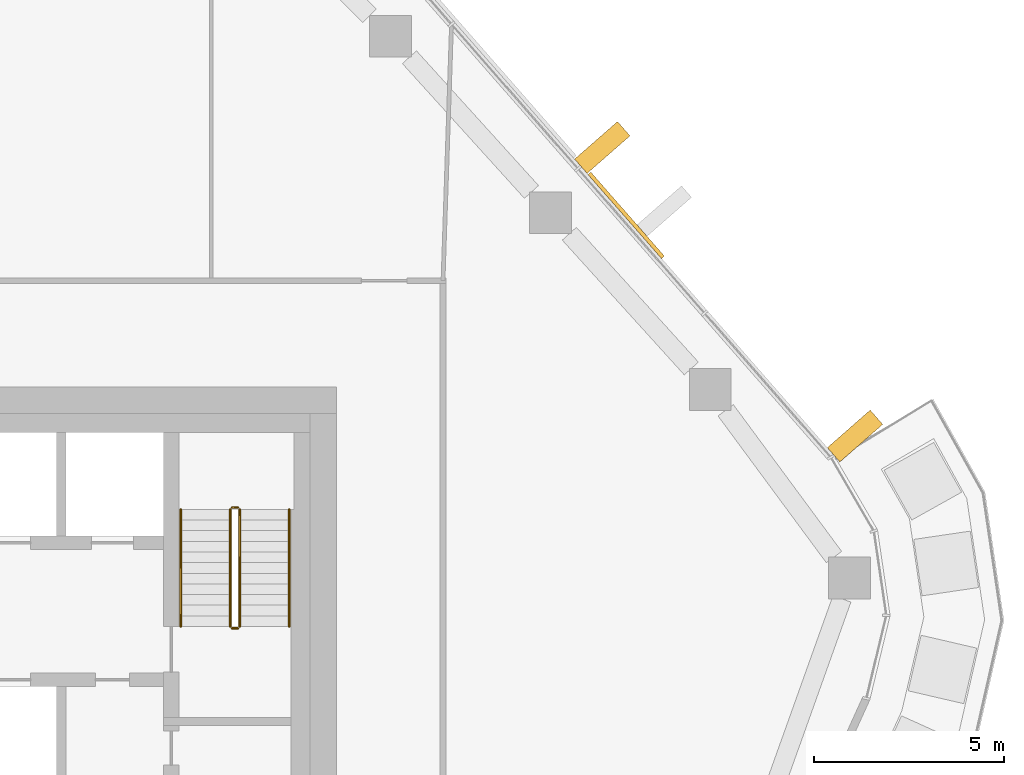
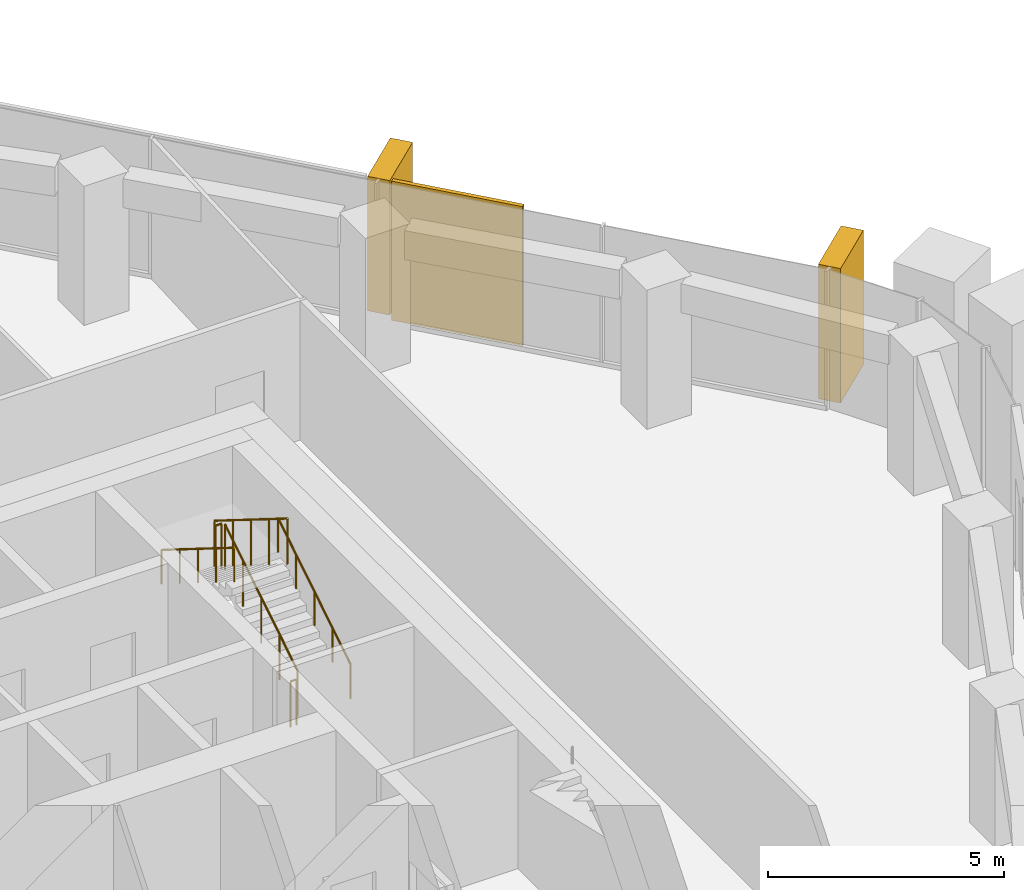
# One storey, part 20 of 21: 6 railings, 3 coverings, 1 element without a shape of its own.
"""IFC4 building model written with IfcOpenShell, lengths in metres."""

from ifc_helpers import new_model, si_unit, direction, frame, origin, origin_2d, place, context, subcontext, project, spatial, rectangle, circle, extrude, material, layer, layer_set, material_profile, profile_set, type_object, element, aggregate, save


model = new_model("IFC4")

# Units and contexts
model_context = context("Model", 3, precision=1e-05, world=origin(), true_north=direction((0.0, 1.0)))
body_context = subcontext(model_context, "Body", "Model", "MODEL_VIEW")
ifc_project = project(units=[si_unit("LENGTHUNIT", "METRE"), si_unit("AREAUNIT", "SQUARE_METRE"), si_unit("VOLUMEUNIT", "CUBIC_METRE"), si_unit("PLANEANGLEUNIT", "RADIAN"), si_unit("MASSUNIT", "GRAM", prefix="KILO")], contexts=[model_context])

# Site, building, storey
site_placement = place(None, origin())
site = spatial("IfcSite", under=ifc_project, at=site_placement, CompositionType="ELEMENT")
building_placement = place(site_placement, origin())
building = spatial("IfcBuilding", under=site, at=building_placement, Name="Dongbaek Canopy Tower", CompositionType="ELEMENT")
storey_placement = place(building_placement, frame((0.0, 0.0, 279.0)))
storey = spatial("IfcBuildingStorey", under=building, at=storey_placement, Name="L59", CompositionType="ELEMENT", Elevation=279.0)

# Curtain wall, coverings
ifc_material_1 = material(Name="Aluminium 6063-T6 pale anodised", Category="aluminium")
ifc_layer_1 = layer(ifc_material_1, 0.199951171875)
ifc_layer_set_1 = layer_set([ifc_layer_1], Name="CW-1 unitised tower curtain wall")
curtain_wall_type = type_object("IfcCurtainWallType", Name="CW-1 unitised tower curtain wall", PredefinedType="NOTDEFINED", material=ifc_layer_set_1)
curtain_wall_placement = place(storey_placement, origin())
curtain_wall = element("IfcCurtainWall", 1, at=curtain_wall_placement, inside=storey, type_object=curtain_wall_type, Name="CW-1 curtain wall F0.1", PredefinedType="NOTDEFINED")
ifc_material_2 = material(Name="Perforated aluminium 6063-T6 pale metal screen", Category="aluminium")
ifc_layer_2 = layer(ifc_material_2, 0.10009765625)
ifc_layer_set_2 = layer_set([ifc_layer_2], Name="Facet screen FS1 100 pale metal")
covering_type_1 = type_object("IfcCoveringType", Name="Facet screen FS1 100 pale metal", PredefinedType="CLADDING", material=ifc_layer_set_2)
covering_1_placement = place(storey_placement, frame((21.619140625, 15.51806640625, 0.0), z_axis=(0.0, 0.0, 1.0), x_axis=(-0.658881167647, 0.752247038492, 0.0)))
covering_1 = element("IfcCovering", 2, at=covering_1_placement, type_object=covering_type_1, Name="Facet screen L59 F0", PredefinedType="CLADDING", context=body_context, shape_type="SweptSolid", body=[
    extrude(rectangle(XDim=2.9345703125, YDim=0.10009765625, at=origin_2d()), origin(), (0.0, 0.0, 1.0), 3.60009765625),
])
ifc_material_3 = material(Name="Aluminium 6063-T6 pale metal fin", Category="aluminium")
ifc_material_profile = material_profile(ifc_material_3, rectangle(XDim=1.5, YDim=0.5, at=origin_2d()), Name="Fin FN1 500 x 1500 pale metal")
ifc_profile_set = profile_set([ifc_material_profile], Name="Aluminium 6063-T6 pale metal fin")
covering_type_2 = type_object("IfcCoveringType", Name="Fin FN1 500 x 1500 pale metal", PredefinedType="CLADDING", material=ifc_profile_set)
covering_2_placement = place(storey_placement, frame((27.64013671875, 9.712158203125, 0.1201171875), z_axis=(0.0, 0.0, 1.0), x_axis=(0.752246978855, 0.658881235735, 0.0)))
covering_2 = element("IfcCovering", 3, at=covering_2_placement, type_object=covering_type_2, Name="Fin F0.1.1", PredefinedType="CLADDING", context=body_context, shape_type="SweptSolid", body=[
    extrude(rectangle(XDim=1.5, YDim=0.5, at=origin_2d()), origin(), (0.0, 0.0, 1.0), 3.47998046875),
])
covering_3_placement = place(storey_placement, frame((20.99072265625, 17.3037109375, 0.1201171875), z_axis=(0.0, 0.0, 1.0), x_axis=(0.752246978855, 0.658881235735, 0.0)))
covering_3 = element("IfcCovering", 4, at=covering_3_placement, type_object=covering_type_2, Name="Fin F0.1.3", PredefinedType="CLADDING", context=body_context, shape_type="SweptSolid", body=[
    extrude(rectangle(XDim=1.5, YDim=0.5, at=origin_2d()), origin(), (0.0, 0.0, 1.0), 3.47998046875),
])
aggregate(curtain_wall, [covering_2, covering_3, covering_1])

# Railings
ifc_material_4 = material(Name="Stainless steel tube and balusters", Category="steel")
railing_type_1 = type_object("IfcRailingType", Name="Stair guard 1200", PredefinedType="GUARDRAIL", material=ifc_material_4)
railing_1_placement = place(storey_placement, frame((11.449951171875, 4.699951171875, 0.175048828125)))
element("IfcRailing", 5, at=railing_1_placement, inside=storey, type_object=railing_type_1, Name="L59 ST-A stair guard 1", PredefinedType="GUARDRAIL", context=body_context, shape_type="SweptSolid", body=[
    extrude(circle(Radius=0.02392578125, at=origin_2d()), frame((0.0, 0.0, 1.17578125), z_axis=(0.0, 0.847998304005, 0.529998940003), x_axis=(-1.0, 0.0, 0.0)), (0.0, 0.0, 1.0), 3.632080078125),
    extrude(circle(Radius=0.02099609375, at=origin_2d()), origin(), (0.0, 0.0, 1.0), 1.15185546875),
    extrude(circle(Radius=0.02099609375, at=origin_2d()), frame((0.0, 0.77001953125, 0.481201171875)), (0.0, 0.0, 1.0), 1.15185546875),
    extrude(circle(Radius=0.02099609375, at=origin_2d()), frame((0.0, 1.5400390625, 0.96240234375)), (0.0, 0.0, 1.0), 1.15185546875),
    extrude(circle(Radius=0.02099609375, at=origin_2d()), frame((0.0, 2.31005859375, 1.44384765625)), (0.0, 0.0, 1.0), 1.15185546875),
    extrude(circle(Radius=0.02099609375, at=origin_2d()), frame((0.0, 3.080078125, 1.925048828125)), (0.0, 0.0, 1.0), 1.15185546875),
])
railing_2_placement = place(storey_placement, frame((11.39990234375, 7.830078125, 2.10009765625)))
element("IfcRailing", 6, at=railing_2_placement, inside=storey, type_object=railing_type_1, Name="L59 ST-A stair guard 2", PredefinedType="GUARDRAIL", context=body_context, shape_type="SweptSolid", body=[
    extrude(circle(Radius=0.02392578125, at=origin_2d()), frame((0.0, 0.0, 1.17578125), z_axis=(-1.0, 0.0, 0.0), x_axis=(0.0, -1.0, 0.0)), (0.0, 0.0, 1.0), 0.14990234375),
    extrude(circle(Radius=0.02099609375, at=origin_2d()), origin(), (0.0, 0.0, 1.0), 1.15185546875),
    extrude(circle(Radius=0.02099609375, at=origin_2d()), frame((-0.14990234375, 0.0, 0.0)), (0.0, 0.0, 1.0), 1.15185546875),
])
railing_3_placement = place(storey_placement, frame((11.199951171875, 7.780029296875, 2.27490234375)))
element("IfcRailing", 7, at=railing_3_placement, inside=storey, type_object=railing_type_1, Name="L59 ST-A stair guard 3", PredefinedType="GUARDRAIL", context=body_context, shape_type="SweptSolid", body=[
    extrude(circle(Radius=0.02392578125, at=origin_2d()), frame((0.0, 0.0, 1.17578125), z_axis=(0.0, -0.847998304005, 0.529998940003), x_axis=(1.0, 0.0, 0.0)), (0.0, 0.0, 1.0), 3.632080078125),
    extrude(circle(Radius=0.02099609375, at=origin_2d()), origin(), (0.0, 0.0, 1.0), 1.15185546875),
    extrude(circle(Radius=0.02099609375, at=origin_2d()), frame((0.0, -0.77001953125, 0.481201171875)), (0.0, 0.0, 1.0), 1.15185546875),
    extrude(circle(Radius=0.02099609375, at=origin_2d()), frame((0.0, -1.5400390625, 0.96240234375)), (0.0, 0.0, 1.0), 1.15185546875),
    extrude(circle(Radius=0.02099609375, at=origin_2d()), frame((0.0, -2.31005859375, 1.44384765625)), (0.0, 0.0, 1.0), 1.15185546875),
    extrude(circle(Radius=0.02099609375, at=origin_2d()), frame((0.0, -3.080078125, 1.925048828125)), (0.0, 0.0, 1.0), 1.15185546875),
])
railing_4_placement = place(storey_placement, frame((11.39990234375, 4.64990234375, 0.0)))
element("IfcRailing", 8, at=railing_4_placement, inside=storey, type_object=railing_type_1, Name="L59 ST-A stair guard 4", PredefinedType="GUARDRAIL", context=body_context, shape_type="SweptSolid", body=[
    extrude(circle(Radius=0.02392578125, at=origin_2d()), frame((0.0, 0.0, 1.17578125), z_axis=(-1.0, 0.0, 0.0), x_axis=(0.0, -1.0, 0.0)), (0.0, 0.0, 1.0), 0.14990234375),
    extrude(circle(Radius=0.02099609375, at=origin_2d()), origin(), (0.0, 0.0, 1.0), 1.15185546875),
    extrude(circle(Radius=0.02099609375, at=origin_2d()), frame((-0.14990234375, 0.0, 0.0)), (0.0, 0.0, 1.0), 1.15185546875),
])
ifc_material_5 = material(Name="Stainless steel tube", Category="steel")
railing_type_2 = type_object("IfcRailingType", Name="Stair handrail 900", PredefinedType="HANDRAIL", material=ifc_material_5)
railing_5_placement = place(storey_placement, frame((12.75, 4.699951171875, 0.175048828125)))
element("IfcRailing", 9, at=railing_5_placement, inside=storey, type_object=railing_type_2, Name="L59 ST-A stair handrail 1", PredefinedType="HANDRAIL", context=body_context, shape_type="SweptSolid", body=[
    extrude(circle(Radius=0.02392578125, at=origin_2d()), frame((0.0, 0.0, 0.8759765625), z_axis=(0.0, 0.847998304005, 0.529998940003), x_axis=(-1.0, 0.0, 0.0)), (0.0, 0.0, 1.0), 3.632080078125),
    extrude(circle(Radius=0.02099609375, at=origin_2d()), origin(), (0.0, 0.0, 1.0), 0.851806640625),
    extrude(circle(Radius=0.02099609375, at=origin_2d()), frame((0.0, 0.77001953125, 0.481201171875)), (0.0, 0.0, 1.0), 0.851806640625),
    extrude(circle(Radius=0.02099609375, at=origin_2d()), frame((0.0, 1.5400390625, 0.96240234375)), (0.0, 0.0, 1.0), 0.851806640625),
    extrude(circle(Radius=0.02099609375, at=origin_2d()), frame((0.0, 2.31005859375, 1.44384765625)), (0.0, 0.0, 1.0), 0.851806640625),
    extrude(circle(Radius=0.02099609375, at=origin_2d()), frame((0.0, 3.080078125, 1.925048828125)), (0.0, 0.0, 1.0), 0.851806640625),
])
railing_6_placement = place(storey_placement, frame((9.89990234375, 7.780029296875, 2.27490234375)))
element("IfcRailing", 10, at=railing_6_placement, inside=storey, type_object=railing_type_2, Name="L59 ST-A stair handrail 2", PredefinedType="HANDRAIL", context=body_context, shape_type="SweptSolid", body=[
    extrude(circle(Radius=0.02392578125, at=origin_2d()), frame((0.0, 0.0, 0.8759765625), z_axis=(0.0, -0.847998304005, 0.529998940003), x_axis=(1.0, 0.0, 0.0)), (0.0, 0.0, 1.0), 3.632080078125),
    extrude(circle(Radius=0.02099609375, at=origin_2d()), origin(), (0.0, 0.0, 1.0), 0.851806640625),
    extrude(circle(Radius=0.02099609375, at=origin_2d()), frame((0.0, -0.77001953125, 0.481201171875)), (0.0, 0.0, 1.0), 0.851806640625),
    extrude(circle(Radius=0.02099609375, at=origin_2d()), frame((0.0, -1.5400390625, 0.96240234375)), (0.0, 0.0, 1.0), 0.851806640625),
    extrude(circle(Radius=0.02099609375, at=origin_2d()), frame((0.0, -2.31005859375, 1.44384765625)), (0.0, 0.0, 1.0), 0.851806640625),
    extrude(circle(Radius=0.02099609375, at=origin_2d()), frame((0.0, -3.080078125, 1.925048828125)), (0.0, 0.0, 1.0), 0.851806640625),
])

save(model, "model.ifc")
